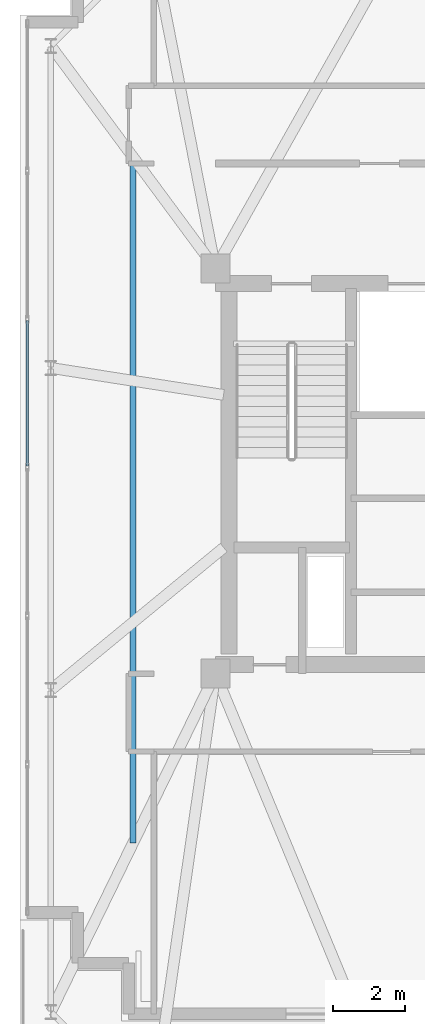
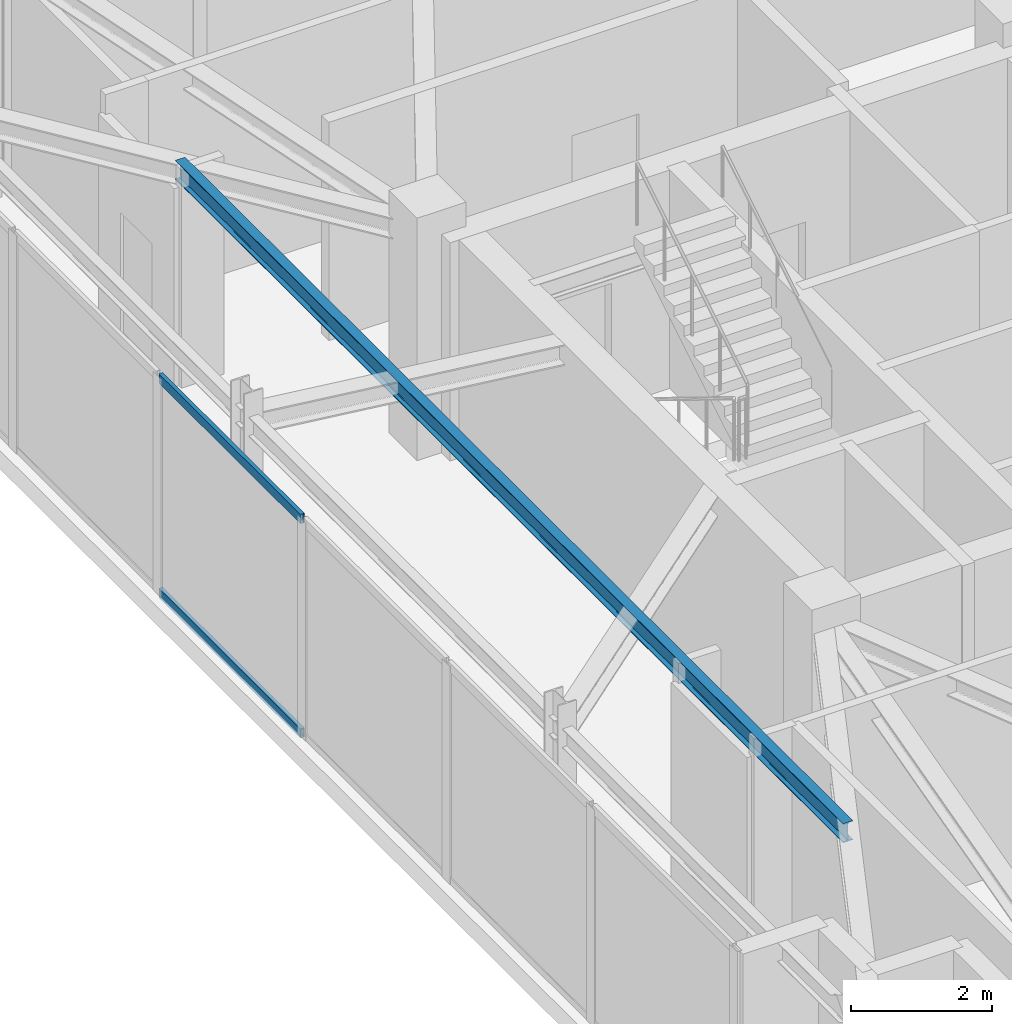
# One storey, part 9 of 24: 2 members, 1 beam, 1 element without a shape of its own.
"""IFC4 building model written with IfcOpenShell, lengths in metres."""

from ifc_helpers import new_model, si_unit, direction, frame, origin, origin_2d, place, context, subcontext, project, spatial, hollow_rectangle, i_section, extrude, material, layer, layer_set, material_profile, profile_set, type_object, element, aggregate, save


model = new_model("IFC4")

# Units and contexts
model_context = context("Model", 3, precision=1e-05, world=origin(), true_north=direction((0.0, 1.0)))
body_context = subcontext(model_context, "Body", "Model", "MODEL_VIEW")
ifc_project = project(units=[si_unit("LENGTHUNIT", "METRE"), si_unit("AREAUNIT", "SQUARE_METRE"), si_unit("VOLUMEUNIT", "CUBIC_METRE"), si_unit("PLANEANGLEUNIT", "RADIAN"), si_unit("MASSUNIT", "GRAM", prefix="KILO")], contexts=[model_context])

# Site, building, storey
site_placement = place(None, origin())
site = spatial("IfcSite", under=ifc_project, at=site_placement, CompositionType="ELEMENT")
building_placement = place(site_placement, origin())
building = spatial("IfcBuilding", under=site, at=building_placement, Name="Qobustan Lattice House", CompositionType="ELEMENT")
storey_placement = place(building_placement, frame((0.0, 0.0, 261.800048828125)))
storey = spatial("IfcBuildingStorey", under=building, at=storey_placement, Name="L74", CompositionType="ELEMENT", Elevation=261.800048828125)

# Beam
ifc_material_1 = material(Name="Steel S355", Category="steel")
ifc_material_profile_1 = material_profile(ifc_material_1, i_section(OverallWidth=0.159912109375, OverallDepth=0.330078125, WebThickness=0.007568359375, FlangeThickness=0.011474609375, FilletRadius=0.01806640625, at=origin_2d()), Name="IPE330")
ifc_profile_set_1 = profile_set([ifc_material_profile_1], Name="Steel S355")
beam_type = type_object("IfcBeamType", Name="BM-SEC-IPE330", PredefinedType="BEAM", material=ifc_profile_set_1)
beam_placement = place(storey_placement, frame((-21.074951171875, 8.675048828125, 3.614990234375), z_axis=(0.0, -1.0, 0.0), x_axis=(1.0, 0.0, 0.0)))
element("IfcBeam", 1, at=beam_placement, inside=storey, type_object=beam_type, Name="L74 west wing secondary beam", PredefinedType="BEAM", context=body_context, shape_type="SweptSolid", body=[
    extrude(i_section(OverallWidth=0.159912109375, OverallDepth=0.330078125, WebThickness=0.007568359375, FlangeThickness=0.011474609375, FilletRadius=0.01806640625, at=origin_2d()), origin(), (0.0, 0.0, 1.0), 18.949951171875),
])

# Curtain wall, members
ifc_material_2 = material(Name="Anodised aluminium and low-E glazing", Category="aluminium")
ifc_layer = layer(ifc_material_2, 0.219970703125)
ifc_layer_set = layer_set([ifc_layer], Name="Anodised aluminium and low-E glazing")
curtain_wall_type = type_object("IfcCurtainWallType", Name="CW-OBS-01", PredefinedType="USERDEFINED", material=ifc_layer_set)
curtain_wall_placement = place(storey_placement, origin())
curtain_wall = element("IfcCurtainWall", 2, at=curtain_wall_placement, inside=storey, type_object=curtain_wall_type, Name="L74 W panoramic observation curtain wall", ObjectType="CURTAIN WALL", PredefinedType="USERDEFINED")
ifc_material_3 = material(Name="Anodised aluminium EN AW-6063 T6", Category="aluminium")
ifc_material_profile_2 = material_profile(ifc_material_3, hollow_rectangle(XDim=0.06494140625, YDim=0.159912109375, WallThickness=0.00390625, at=origin_2d()), Name="CWT-160x65")
ifc_profile_set_2 = profile_set([ifc_material_profile_2], Name="Anodised aluminium EN AW-6063 T6")
member_type = type_object("IfcMemberType", Name="CWT-HOR-160", PredefinedType="USERDEFINED", material=ifc_profile_set_2)
member_1_placement = place(storey_placement, frame((-24.0, 0.139892578125, 0.032470703125), z_axis=(0.0, 1.0, 0.0), x_axis=(-1.0, 0.0, 0.0)))
member_1 = element("IfcMember", 3, at=member_1_placement, type_object=member_type, Name="CW-OB transom 4.1", ObjectType="TRANSOM", PredefinedType="USERDEFINED", context=body_context, shape_type="SweptSolid", body=[
    extrude(hollow_rectangle(XDim=0.06494140625, YDim=0.159912109375, WallThickness=0.00390625, at=origin_2d()), origin(), (0.0, 0.0, 1.0), 4.02001953125),
])
member_2_placement = place(storey_placement, frame((-24.0, 0.139892578125, 3.74755859375), z_axis=(0.0, 1.0, 0.0), x_axis=(-1.0, 0.0, 0.0)))
member_2 = element("IfcMember", 4, at=member_2_placement, type_object=member_type, Name="CW-OB transom 4.2", ObjectType="TRANSOM", PredefinedType="USERDEFINED", context=body_context, shape_type="SweptSolid", body=[
    extrude(hollow_rectangle(XDim=0.06494140625, YDim=0.159912109375, WallThickness=0.00390625, at=origin_2d()), origin(), (0.0, 0.0, 1.0), 4.02001953125),
])
aggregate(curtain_wall, [member_1, member_2])

save(model, "model.ifc")
